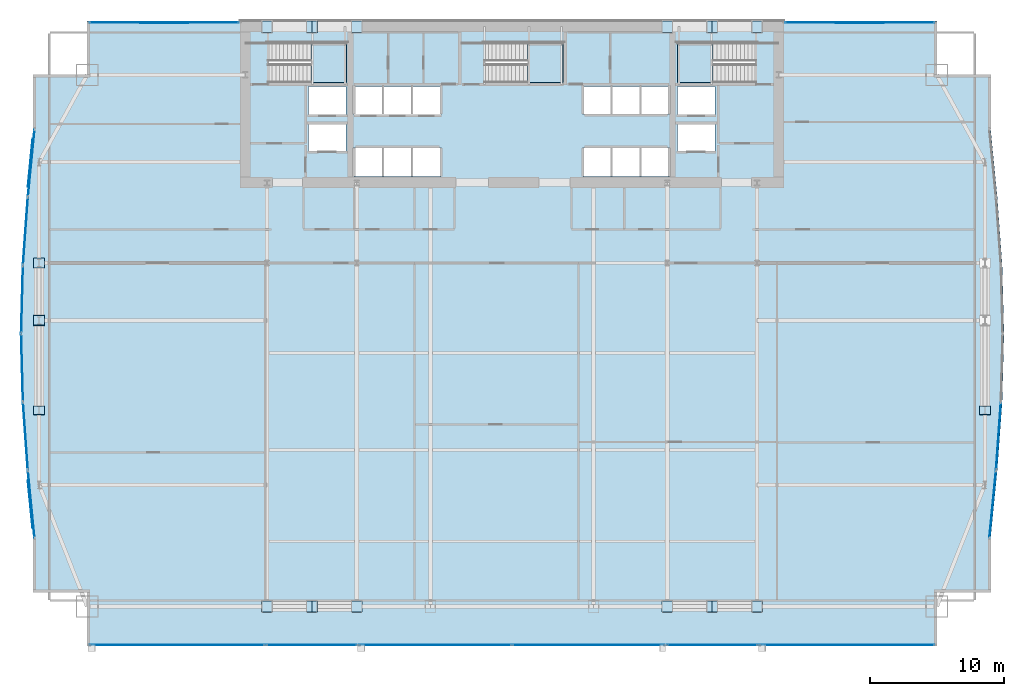
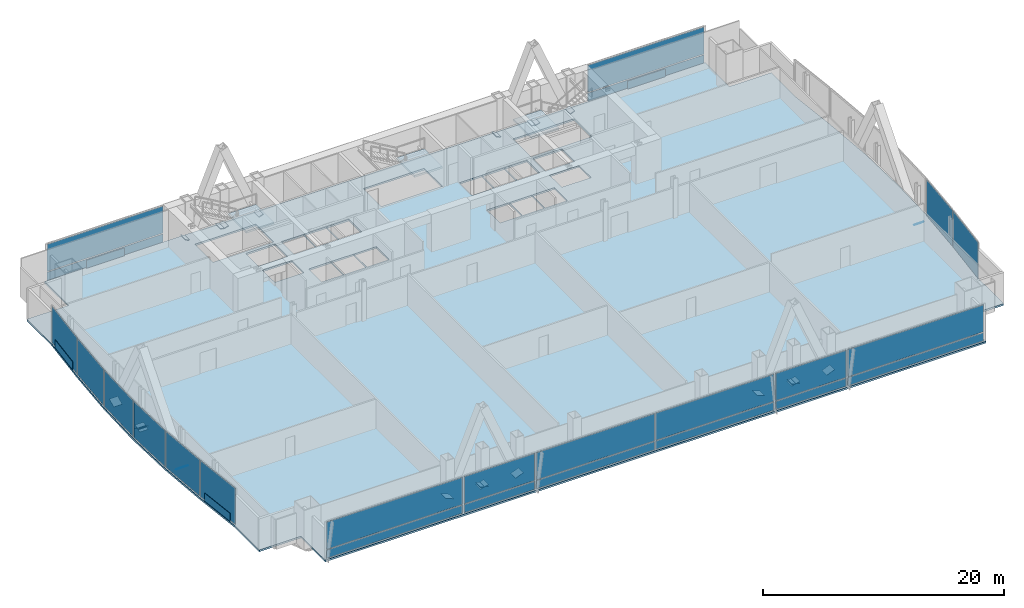
# One storey, part 25 of 33: 49 plates, 4 slabs, 18 elements without a shape of their own.
"""IFC4 building model written with IfcOpenShell, lengths in metres."""

from ifc_helpers import new_model, si_unit, direction, frame, origin, origin_2d, place, context, subcontext, project, spatial, polyline, rectangle, outline, extrude, material, layer, layer_set, type_object, element, aggregate, save


model = new_model("IFC4")

# Units and contexts
model_context = context("Model", 3, precision=1e-05, world=origin(), true_north=direction((0.0, 1.0)))
body_context = subcontext(model_context, "Body", "Model", "MODEL_VIEW")
ifc_project = project(units=[si_unit("LENGTHUNIT", "METRE"), si_unit("AREAUNIT", "SQUARE_METRE"), si_unit("VOLUMEUNIT", "CUBIC_METRE"), si_unit("PLANEANGLEUNIT", "RADIAN"), si_unit("MASSUNIT", "GRAM", prefix="KILO")], contexts=[model_context])

# Site, building, storey
site_placement = place(None, origin())
site = spatial("IfcSite", under=ifc_project, at=site_placement, CompositionType="ELEMENT")
building_placement = place(site_placement, origin())
building = spatial("IfcBuilding", under=site, at=building_placement, Name="Khoronbel Lancet Exchange", CompositionType="ELEMENT")
storey_placement = place(building_placement, frame((0.0, 0.0, 73.800048828125)))
storey = spatial("IfcBuildingStorey", under=building, at=storey_placement, Name="L17", CompositionType="ELEMENT", Elevation=73.800048828125)

# Curtain wall, plate
ifc_material_1 = material(Name="Low-E Solar Control Insulating Glass", Category="glass")
curtain_wall_type_1 = type_object("IfcCurtainWallType", Name="CW-4", PredefinedType="NOTDEFINED", material=ifc_material_1)
curtain_wall_1_placement = place(storey_placement, origin())
curtain_wall_1 = element("IfcCurtainWall", 1, at=curtain_wall_1_placement, inside=storey, type_object=curtain_wall_type_1, Name="Unitised curtain wall CW-L17-E04", PredefinedType="NOTDEFINED")
ifc_material_2 = material(Name="Bronze-Anodised Aluminium 6063-T6", Category="aluminium")
ifc_layer_1 = layer(ifc_material_2, 0.050048828125, Name="Bronze-Anodised Aluminium 6063-T6")
ifc_layer_set_1 = layer_set([ifc_layer_1], Name="Bronze-Anodised Aluminium 6063-T6")
plate_type_1 = type_object("IfcPlateType", Name="PLT-CSP1", PredefinedType="SHEET", material=ifc_layer_set_1)
plate_1_placement = place(storey_placement, frame((0.630126953125, 17.74169921875, 0.0498046875), z_axis=(0.0, 0.0, 1.0), x_axis=(-0.09788604621, 0.995197629598, 0.0)))
plate_1 = element("IfcPlate", 2, at=plate_1_placement, type_object=plate_type_1, Name="Insulated bronze spandrel cassette CW-L17-E04", PredefinedType="SHEET", context=body_context, shape_type="SweptSolid", body=[
    extrude(rectangle(XDim=3.57763671875, YDim=0.050048828125, at=origin_2d()), origin(), (0.0, 0.0, 1.0), 0.800048828125),
])

curtain_wall_2_placement = place(storey_placement, origin())
curtain_wall_2 = element("IfcCurtainWall", 3, at=curtain_wall_2_placement, inside=storey, type_object=curtain_wall_type_1, Name="Unitised curtain wall CW-L17-E05", PredefinedType="NOTDEFINED")
plate_2_placement = place(storey_placement, frame((0.2568359375, 22.8310546875, 0.0849609375), z_axis=(0.0, 0.0, 1.0), x_axis=(-0.071819098708, 0.997417674327, 0.0)))
plate_2 = element("IfcPlate", 4, at=plate_2_placement, type_object=plate_type_1, Name="CW4 panel 1.1", PredefinedType="CURTAIN_PANEL", context=body_context, shape_type="SweptSolid", body=[
    extrude(rectangle(XDim=4.943359375, YDim=0.0380859375, at=origin_2d()), origin(), (0.0, 0.0, 1.0), 3.64990234375),
])
aggregate(curtain_wall_2, [plate_2])

curtain_wall_3_placement = place(storey_placement, origin())
curtain_wall_3 = element("IfcCurtainWall", 5, at=curtain_wall_3_placement, inside=storey, type_object=curtain_wall_type_1, Name="Unitised curtain wall CW-L17-E06", PredefinedType="NOTDEFINED")
plate_3_placement = place(storey_placement, frame((0.0068359375, 27.91064453125, 0.0849609375), z_axis=(0.0, 0.0, 1.0), x_axis=(-0.026354818961, 0.999652651433, 0.0)))
plate_3 = element("IfcPlate", 6, at=plate_3_placement, type_object=plate_type_1, Name="CW4 panel 1.1", PredefinedType="CURTAIN_PANEL", context=body_context, shape_type="SweptSolid", body=[
    extrude(rectangle(XDim=4.9306640625, YDim=0.0380859375, at=origin_2d()), origin(), (0.0, 0.0, 1.0), 3.64990234375),
])
aggregate(curtain_wall_3, [plate_3])

curtain_wall_4_placement = place(storey_placement, origin())
curtain_wall_4 = element("IfcCurtainWall", 7, at=curtain_wall_4_placement, inside=storey, type_object=curtain_wall_type_1, Name="Unitised curtain wall CW-L17-E07", PredefinedType="NOTDEFINED")
plate_4_placement = place(storey_placement, frame((0.0068359375, 32.989501953125, 0.0849609375), z_axis=(0.0, 0.0, 1.0), x_axis=(0.026354818961, 0.999652651433, 0.0)))
plate_4 = element("IfcPlate", 8, at=plate_4_placement, type_object=plate_type_1, Name="CW4 panel 1.1", PredefinedType="CURTAIN_PANEL", context=body_context, shape_type="SweptSolid", body=[
    extrude(rectangle(XDim=4.9306640625, YDim=0.0380859375, at=origin_2d()), origin(), (0.0, 0.0, 1.0), 3.64990234375),
])
aggregate(curtain_wall_4, [plate_4])

curtain_wall_5_placement = place(storey_placement, origin())
curtain_wall_5 = element("IfcCurtainWall", 9, at=curtain_wall_5_placement, inside=storey, type_object=curtain_wall_type_1, Name="Unitised curtain wall CW-L17-E08", PredefinedType="NOTDEFINED")
plate_5_placement = place(storey_placement, frame((0.2568359375, 38.069091796875, 0.0849609375), z_axis=(0.0, 0.0, 1.0), x_axis=(0.071819098708, 0.997417674327, 0.0)))
plate_5 = element("IfcPlate", 10, at=plate_5_placement, type_object=plate_type_1, Name="CW4 panel 1.1", PredefinedType="CURTAIN_PANEL", context=body_context, shape_type="SweptSolid", body=[
    extrude(rectangle(XDim=4.943359375, YDim=0.0380859375, at=origin_2d()), origin(), (0.0, 0.0, 1.0), 3.64990234375),
])
aggregate(curtain_wall_5, [plate_5])

curtain_wall_6_placement = place(storey_placement, origin())
curtain_wall_6 = element("IfcCurtainWall", 11, at=curtain_wall_6_placement, inside=storey, type_object=curtain_wall_type_1, Name="Unitised curtain wall CW-L17-E09", PredefinedType="NOTDEFINED")
plate_6_placement = place(storey_placement, frame((0.630126953125, 43.158203125, 0.0498046875), z_axis=(0.0, 0.0, 1.0), x_axis=(0.09788604621, 0.995197629598, 0.0)))
plate_6 = element("IfcPlate", 12, at=plate_6_placement, type_object=plate_type_1, Name="Insulated bronze spandrel cassette CW-L17-E09", PredefinedType="SHEET", context=body_context, shape_type="SweptSolid", body=[
    extrude(rectangle(XDim=3.57763671875, YDim=0.050048828125, at=origin_2d()), origin(), (0.0, 0.0, 1.0), 0.800048828125),
])

curtain_wall_type_2 = type_object("IfcCurtainWallType", Name="CW-1", PredefinedType="NOTDEFINED", material=ifc_material_1)
curtain_wall_7_placement = place(storey_placement, origin())
curtain_wall_7 = element("IfcCurtainWall", 13, at=curtain_wall_7_placement, inside=storey, type_object=curtain_wall_type_2, Name="Unitised curtain wall CW-L17-NWFLK", PredefinedType="NOTDEFINED")
plate_7_placement = place(storey_placement, frame((10.580078125, 53.550048828125, 0.0498046875), z_axis=(0.0, 0.0, 1.0), x_axis=(-1.0, 0.0, 0.0)))
plate_7 = element("IfcPlate", 14, at=plate_7_placement, type_object=plate_type_1, Name="Insulated bronze spandrel cassette CW-L17-NWFLK", PredefinedType="SHEET", context=body_context, shape_type="SweptSolid", body=[
    extrude(rectangle(XDim=3.60009765625, YDim=0.050048828125, at=origin_2d()), origin(), (0.0, 0.0, 1.0), 0.800048828125),
])

curtain_wall_8_placement = place(storey_placement, origin())
curtain_wall_8 = element("IfcCurtainWall", 15, at=curtain_wall_8_placement, inside=storey, type_object=curtain_wall_type_2, Name="Unitised curtain wall CW-L17-NEFLK", PredefinedType="NOTDEFINED")
plate_8_placement = place(storey_placement, frame((62.320068359375, 53.550048828125, 0.0498046875), z_axis=(0.0, 0.0, 1.0), x_axis=(-1.0, 0.0, 0.0)))
plate_8 = element("IfcPlate", 16, at=plate_8_placement, type_object=plate_type_1, Name="Insulated bronze spandrel cassette CW-L17-NEFLK", PredefinedType="SHEET", context=body_context, shape_type="SweptSolid", body=[
    extrude(rectangle(XDim=3.60009765625, YDim=0.050048828125, at=origin_2d()), origin(), (0.0, 0.0, 1.0), 0.800048828125),
])

curtain_wall_9_placement = place(storey_placement, origin())
curtain_wall_9 = element("IfcCurtainWall", 17, at=curtain_wall_9_placement, inside=storey, type_object=curtain_wall_type_1, Name="Unitised curtain wall CW-L17-E21", PredefinedType="NOTDEFINED")
plate_9_placement = place(storey_placement, frame((72.643310546875, 22.8310546875, 0.0849609375), z_axis=(0.0, 0.0, 1.0), x_axis=(-0.071819098708, -0.997417674327, 0.0)))
plate_9 = element("IfcPlate", 18, at=plate_9_placement, type_object=plate_type_1, Name="CW4 panel 1.1", PredefinedType="CURTAIN_PANEL", context=body_context, shape_type="SweptSolid", body=[
    extrude(rectangle(XDim=4.943359375, YDim=0.0380859375, at=origin_2d()), origin(), (0.0, 0.0, 1.0), 3.64990234375),
])
aggregate(curtain_wall_9, [plate_9])

# Curtain wall, plates
curtain_wall_10_placement = place(storey_placement, origin())
curtain_wall_10 = element("IfcCurtainWall", 19, at=curtain_wall_10_placement, inside=storey, type_object=curtain_wall_type_2, Name="Unitised curtain wall CW-L17-SWB", PredefinedType="NOTDEFINED")
plate_10_placement = place(storey_placement, frame((21.550048828125, 7.2900390625, 0.0849609375), z_axis=(0.0, 0.0, 1.0), x_axis=(1.0, 0.0, 0.0)))
plate_10 = element("IfcPlate", 20, at=plate_10_placement, type_object=plate_type_1, Name="CW1 panel 1.1", PredefinedType="CURTAIN_PANEL", context=body_context, shape_type="SweptSolid", body=[
    extrude(rectangle(XDim=6.72998046875, YDim=0.0380859375, at=origin_2d()), origin(), (0.0, 0.0, 1.0), 0.822509765625),
])
plate_11_placement = place(storey_placement, frame((21.550048828125, 7.2900390625, 0.99267578125), z_axis=(0.0, 0.0, 1.0), x_axis=(1.0, 0.0, 0.0)))
plate_11 = element("IfcPlate", 21, at=plate_11_placement, type_object=plate_type_1, Name="CW1 panel 1.2", PredefinedType="CURTAIN_PANEL", context=body_context, shape_type="SweptSolid", body=[
    extrude(rectangle(XDim=6.72998046875, YDim=0.0380859375, at=origin_2d()), origin(), (0.0, 0.0, 1.0), 2.742431640625),
])
aggregate(curtain_wall_10, [plate_10, plate_11])

curtain_wall_11_placement = place(storey_placement, origin())
curtain_wall_11 = element("IfcCurtainWall", 22, at=curtain_wall_11_placement, inside=storey, type_object=curtain_wall_type_2, Name="Unitised curtain wall CW-L17-SEB", PredefinedType="NOTDEFINED")
plate_12_placement = place(storey_placement, frame((51.35009765625, 7.2900390625, 0.0849609375), z_axis=(0.0, 0.0, 1.0), x_axis=(1.0, 0.0, 0.0)))
plate_12 = element("IfcPlate", 23, at=plate_12_placement, type_object=plate_type_1, Name="CW1 panel 1.1", PredefinedType="CURTAIN_PANEL", context=body_context, shape_type="SweptSolid", body=[
    extrude(rectangle(XDim=6.72998046875, YDim=0.0380859375, at=origin_2d()), origin(), (0.0, 0.0, 1.0), 0.822509765625),
])
plate_13_placement = place(storey_placement, frame((51.35009765625, 7.2900390625, 0.99267578125), z_axis=(0.0, 0.0, 1.0), x_axis=(1.0, 0.0, 0.0)))
plate_13 = element("IfcPlate", 24, at=plate_13_placement, type_object=plate_type_1, Name="CW1 panel 1.2", PredefinedType="CURTAIN_PANEL", context=body_context, shape_type="SweptSolid", body=[
    extrude(rectangle(XDim=6.72998046875, YDim=0.0380859375, at=origin_2d()), origin(), (0.0, 0.0, 1.0), 2.742431640625),
])
aggregate(curtain_wall_11, [plate_12, plate_13])

# Plate
ifc_layer_2 = layer(ifc_material_1, 0.035888671875, Name="Low-E Solar Control Insulating Glass")
ifc_layer_set_2 = layer_set([ifc_layer_2], Name="Low-E Solar Control Insulating Glass")
plate_type_2 = type_object("IfcPlateType", Name="PLT-CWP1", PredefinedType="CURTAIN_PANEL", material=ifc_layer_set_2)
plate_14_placement = place(storey_placement, frame((10.580078125, 53.610107421875, 0.0849609375), z_axis=(0.0, 0.0, 1.0), x_axis=(-1.0, 0.0, 0.0)))
plate_14 = element("IfcPlate", 25, at=plate_14_placement, type_object=plate_type_2, Name="CW1 panel 1.1", PredefinedType="CURTAIN_PANEL", context=body_context, shape_type="SweptSolid", body=[
    extrude(rectangle(XDim=11.110107421875, YDim=0.0380859375, at=origin_2d()), origin(), (0.0, 0.0, 1.0), 0.822509765625),
])

plate_15_placement = place(storey_placement, frame((10.580078125, 53.610107421875, 0.99267578125), z_axis=(0.0, 0.0, 1.0), x_axis=(-1.0, 0.0, 0.0)))
plate_15 = element("IfcPlate", 26, at=plate_15_placement, type_object=plate_type_2, Name="CW1 panel 1.2", PredefinedType="CURTAIN_PANEL", context=body_context, shape_type="SweptSolid", body=[
    extrude(rectangle(XDim=11.110107421875, YDim=0.0380859375, at=origin_2d()), origin(), (0.0, 0.0, 1.0), 2.742431640625),
])

aggregate(curtain_wall_7, [plate_14, plate_15, plate_7])

plate_16_placement = place(storey_placement, frame((62.320068359375, 53.610107421875, 0.0849609375), z_axis=(0.0, 0.0, 1.0), x_axis=(-1.0, 0.0, 0.0)))
plate_16 = element("IfcPlate", 27, at=plate_16_placement, type_object=plate_type_2, Name="CW1 panel 1.1", PredefinedType="CURTAIN_PANEL", context=body_context, shape_type="SweptSolid", body=[
    extrude(rectangle(XDim=11.110107421875, YDim=0.0380859375, at=origin_2d()), origin(), (0.0, 0.0, 1.0), 0.822509765625),
])

plate_17_placement = place(storey_placement, frame((62.320068359375, 53.610107421875, 0.99267578125), z_axis=(0.0, 0.0, 1.0), x_axis=(-1.0, 0.0, 0.0)))
plate_17 = element("IfcPlate", 28, at=plate_17_placement, type_object=plate_type_2, Name="CW1 panel 1.2", PredefinedType="CURTAIN_PANEL", context=body_context, shape_type="SweptSolid", body=[
    extrude(rectangle(XDim=11.110107421875, YDim=0.0380859375, at=origin_2d()), origin(), (0.0, 0.0, 1.0), 2.742431640625),
])

aggregate(curtain_wall_8, [plate_16, plate_17, plate_8])

# Curtain wall, plates
curtain_wall_12_placement = place(storey_placement, origin())
curtain_wall_12 = element("IfcCurtainWall", 29, at=curtain_wall_12_placement, inside=storey, type_object=curtain_wall_type_2, Name="Unitised curtain wall CW-L17-SWV", PredefinedType="NOTDEFINED")
plate_18_placement = place(storey_placement, frame((11.52001953125, 7.2900390625, 0.0849609375), z_axis=(0.0, 0.0, 1.0), x_axis=(1.0, 0.0, 0.0)))
plate_18 = element("IfcPlate", 30, at=plate_18_placement, type_object=plate_type_2, Name="CW1 panel 1.1", PredefinedType="CURTAIN_PANEL", context=body_context, shape_type="SweptSolid", body=[
    extrude(rectangle(XDim=12.989990234375, YDim=0.0380859375, at=origin_2d()), origin(), (0.0, 0.0, 1.0), 0.822509765625),
])
plate_19_placement = place(storey_placement, frame((11.52001953125, 7.2900390625, 0.99267578125), z_axis=(0.0, 0.0, 1.0), x_axis=(1.0, 0.0, 0.0)))
plate_19 = element("IfcPlate", 31, at=plate_19_placement, type_object=plate_type_2, Name="CW1 panel 1.2", PredefinedType="CURTAIN_PANEL", context=body_context, shape_type="SweptSolid", body=[
    extrude(rectangle(XDim=12.989990234375, YDim=0.0380859375, at=origin_2d()), origin(), (0.0, 0.0, 1.0), 2.742431640625),
])
aggregate(curtain_wall_12, [plate_18, plate_19])

curtain_wall_13_placement = place(storey_placement, origin())
curtain_wall_13 = element("IfcCurtainWall", 32, at=curtain_wall_13_placement, inside=storey, type_object=curtain_wall_type_2, Name="Unitised curtain wall CW-L17-SCV", PredefinedType="NOTDEFINED")
plate_20_placement = place(storey_placement, frame((30.746337890625, 7.2900390625, 0.0849609375), z_axis=(0.0, 0.0, 1.0), x_axis=(1.0, 0.0, 0.0)))
plate_20 = element("IfcPlate", 33, at=plate_20_placement, type_object=plate_type_2, Name="CW1 panel 1.1", PredefinedType="CURTAIN_PANEL", context=body_context, shape_type="SweptSolid", body=[
    extrude(rectangle(XDim=11.322509765625, YDim=0.0380859375, at=origin_2d()), origin(), (0.0, 0.0, 1.0), 0.822509765625),
])
plate_21_placement = place(storey_placement, frame((30.746337890625, 7.2900390625, 0.99267578125), z_axis=(0.0, 0.0, 1.0), x_axis=(1.0, 0.0, 0.0)))
plate_21 = element("IfcPlate", 34, at=plate_21_placement, type_object=plate_type_2, Name="CW1 panel 1.2", PredefinedType="CURTAIN_PANEL", context=body_context, shape_type="SweptSolid", body=[
    extrude(rectangle(XDim=11.322509765625, YDim=0.0380859375, at=origin_2d()), origin(), (0.0, 0.0, 1.0), 2.742431640625),
])
plate_22_placement = place(storey_placement, frame((42.15380859375, 7.2900390625, 0.0849609375), z_axis=(0.0, 0.0, 1.0), x_axis=(1.0, 0.0, 0.0)))
plate_22 = element("IfcPlate", 35, at=plate_22_placement, type_object=plate_type_2, Name="CW1 panel 2.1", PredefinedType="CURTAIN_PANEL", context=body_context, shape_type="SweptSolid", body=[
    extrude(rectangle(XDim=11.322509765625, YDim=0.0380859375, at=origin_2d()), origin(), (0.0, 0.0, 1.0), 0.822509765625),
])
plate_23_placement = place(storey_placement, frame((42.15380859375, 7.2900390625, 0.99267578125), z_axis=(0.0, 0.0, 1.0), x_axis=(1.0, 0.0, 0.0)))
plate_23 = element("IfcPlate", 36, at=plate_23_placement, type_object=plate_type_2, Name="CW1 panel 2.2", PredefinedType="CURTAIN_PANEL", context=body_context, shape_type="SweptSolid", body=[
    extrude(rectangle(XDim=11.322509765625, YDim=0.0380859375, at=origin_2d()), origin(), (0.0, 0.0, 1.0), 2.742431640625),
])
aggregate(curtain_wall_13, [plate_20, plate_21, plate_22, plate_23])

curtain_wall_14_placement = place(storey_placement, origin())
curtain_wall_14 = element("IfcCurtainWall", 37, at=curtain_wall_14_placement, inside=storey, type_object=curtain_wall_type_2, Name="Unitised curtain wall CW-L17-SEV", PredefinedType="NOTDEFINED")
plate_24_placement = place(storey_placement, frame((61.3798828125, 7.2900390625, 0.0849609375), z_axis=(0.0, 0.0, 1.0), x_axis=(1.0, 0.0, 0.0)))
plate_24 = element("IfcPlate", 38, at=plate_24_placement, type_object=plate_type_2, Name="CW1 panel 1.1", PredefinedType="CURTAIN_PANEL", context=body_context, shape_type="SweptSolid", body=[
    extrude(rectangle(XDim=12.989990234375, YDim=0.0380859375, at=origin_2d()), origin(), (0.0, 0.0, 1.0), 0.822509765625),
])
plate_25_placement = place(storey_placement, frame((61.3798828125, 7.2900390625, 0.99267578125), z_axis=(0.0, 0.0, 1.0), x_axis=(1.0, 0.0, 0.0)))
plate_25 = element("IfcPlate", 39, at=plate_25_placement, type_object=plate_type_2, Name="CW1 panel 1.2", PredefinedType="CURTAIN_PANEL", context=body_context, shape_type="SweptSolid", body=[
    extrude(rectangle(XDim=12.989990234375, YDim=0.0380859375, at=origin_2d()), origin(), (0.0, 0.0, 1.0), 2.742431640625),
])
aggregate(curtain_wall_14, [plate_24, plate_25])

# Plate
ifc_material_3 = material(Name="Ceramic-Fritted Laminated Insulating Glass", Category="glass")
ifc_layer_3 = layer(ifc_material_3, 0.0419921875, Name="Ceramic-Fritted Laminated Insulating Glass")
ifc_layer_set_3 = layer_set([ifc_layer_3], Name="Ceramic-Fritted Laminated Insulating Glass")
plate_type_3 = type_object("IfcPlateType", Name="PLT-CWP2", PredefinedType="CURTAIN_PANEL", material=ifc_layer_set_3)
plate_26_placement = place(storey_placement, frame((0.68994140625, 17.74755859375, 0.0849609375), z_axis=(0.0, 0.0, 1.0), x_axis=(-0.09788604621, 0.995197629598, 0.0)))
plate_26 = element("IfcPlate", 40, at=plate_26_placement, type_object=plate_type_3, Name="CW4 panel 1.1", PredefinedType="CURTAIN_PANEL", context=body_context, shape_type="SweptSolid", body=[
    extrude(rectangle(XDim=4.9609375, YDim=0.0380859375, at=origin_2d()), origin(), (0.0, 0.0, 1.0), 3.64990234375),
])

aggregate(curtain_wall_1, [plate_26, plate_1])

plate_27_placement = place(storey_placement, frame((0.68994140625, 43.15234375, 0.0849609375), z_axis=(0.0, 0.0, 1.0), x_axis=(0.09788604621, 0.995197629598, 0.0)))
plate_27 = element("IfcPlate", 41, at=plate_27_placement, type_object=plate_type_3, Name="CW4 panel 1.1", PredefinedType="CURTAIN_PANEL", context=body_context, shape_type="SweptSolid", body=[
    extrude(rectangle(XDim=4.9609375, YDim=0.0380859375, at=origin_2d()), origin(), (0.0, 0.0, 1.0), 3.64990234375),
])

aggregate(curtain_wall_6, [plate_27, plate_6])

# Curtain wall, plate
curtain_wall_15_placement = place(storey_placement, origin())
curtain_wall_15 = element("IfcCurtainWall", 42, at=curtain_wall_15_placement, inside=storey, type_object=curtain_wall_type_1, Name="Unitised curtain wall CW-L17-E22", PredefinedType="NOTDEFINED")
plate_28_placement = place(storey_placement, frame((72.210205078125, 17.74755859375, 0.0849609375), z_axis=(0.0, 0.0, 1.0), x_axis=(-0.09788604621, -0.995197629598, 0.0)))
plate_28 = element("IfcPlate", 43, at=plate_28_placement, type_object=plate_type_3, Name="CW4 panel 1.1", PredefinedType="CURTAIN_PANEL", context=body_context, shape_type="SweptSolid", body=[
    extrude(rectangle(XDim=4.9609375, YDim=0.0380859375, at=origin_2d()), origin(), (0.0, 0.0, 1.0), 3.64990234375),
])
aggregate(curtain_wall_15, [plate_28])

# Plates
ifc_material_4 = material(Name="Steel S460", Category="steel")
ifc_layer_4 = layer(ifc_material_4, 0.044921875, Name="Steel S460")
ifc_layer_set_4 = layer_set([ifc_layer_4], Name="Steel S460")
plate_type_4 = type_object("IfcPlateType", Name="PLT-ECP1", PredefinedType="USERDEFINED", material=ifc_layer_set_4)
for number, where, z_axis, x_axis, name in (
    (44, (21.97607421875, 9.72998046875, -0.080810546875), (0.26795862665, 0.0, 0.963430420115), (0.0, 1.0, 0.0), "Hollow end cap plate PLT-CAP-MEM-MB-T04-S-W-L-1"),
    (45, (21.14892578125, 10.570068359375, -0.080810546875), (-0.26795862665, 0.0, 0.963430420115), (0.0, -1.0, 0.0), "Hollow end cap plate PLT-CAP-MEM-MB-T04-S-W-R-1"),
    (46, (51.7509765625, 9.72998046875, -0.080810546875), (0.26795862665, 0.0, 0.963430420115), (0.0, 1.0, 0.0), "Hollow end cap plate PLT-CAP-MEM-MB-T04-S-E-L-1"),
    (47, (50.924072265625, 10.570068359375, -0.080810546875), (-0.26795862665, 0.0, 0.963430420115), (0.0, -1.0, 0.0), "Hollow end cap plate PLT-CAP-MEM-MB-T04-S-E-R-1"),
):
    element("IfcPlate", number, at=place(storey_placement, frame(where, z_axis=z_axis, x_axis=x_axis)), inside=storey, type_object=plate_type_4, Name=name, ObjectType="STIFFENER_PLATE", PredefinedType="USERDEFINED", context=body_context, shape_type="SweptSolid", body=[
        extrude(outline(polyline([(0.0, 0.0), (0.840087890625, 0.0), (0.840087890625, 0.840087890625), (0.0, 0.840087890625), (0.0, 0.0)])), origin(), (0.0, 0.0, -1.0), 0.044921875),
    ])
for number, where, z_axis, x_axis, name in (
    (48, (21.97607421875, 52.860107421875, -0.080810546875), (0.26795862665, 0.0, 0.963430420115), (0.0, 1.0, 0.0), "Hollow end cap plate PLT-CAP-MEM-MB-T04-N-W-L-1"),
    (49, (21.14892578125, 53.699951171875, -0.080810546875), (-0.26795862665, 0.0, 0.963430420115), (0.0, -1.0, 0.0), "Hollow end cap plate PLT-CAP-MEM-MB-T04-N-W-R-1"),
    (50, (51.7509765625, 52.860107421875, -0.080810546875), (0.26795862665, 0.0, 0.963430420115), (0.0, 1.0, 0.0), "Hollow end cap plate PLT-CAP-MEM-MB-T04-N-E-L-1"),
    (51, (50.924072265625, 53.699951171875, -0.080810546875), (-0.26795862665, 0.0, 0.963430420115), (0.0, -1.0, 0.0), "Hollow end cap plate PLT-CAP-MEM-MB-T04-N-E-R-1"),
    (52, (1.68994140625, 31.80810546875, -0.17529296875), (0.0, 0.485963708226, 0.873978989614), (-1.0, 0.0, 0.0), "Hollow end cap plate PLT-CAP-MEM-MB-T04-W-P-L-1"),
):
    element("IfcPlate", number, at=place(storey_placement, frame(where, z_axis=z_axis, x_axis=x_axis)), inside=storey, type_object=plate_type_4, Name=name, ObjectType="STIFFENER_PLATE", PredefinedType="USERDEFINED", context=body_context, shape_type="SweptSolid", body=[
        extrude(outline(polyline([(0.0, 0.0), (0.83984375, 0.0), (0.83984375, 0.840087890625), (0.0, 0.840087890625), (0.0, 0.0)])), origin(), (0.0, 0.0, -1.0), 0.044921875),
    ])
plate_29_placement = place(storey_placement, frame((0.85009765625, 31.018310546875, -0.10986328125), z_axis=(0.0, -0.335433979759, 0.942063716116), x_axis=(1.0, 0.0, 0.0)))
element("IfcPlate", 53, at=plate_29_placement, inside=storey, type_object=plate_type_4, Name="Hollow end cap plate PLT-CAP-MEM-MB-T04-W-P-R-1", ObjectType="STIFFENER_PLATE", PredefinedType="USERDEFINED", context=body_context, shape_type="SweptSolid", body=[
    extrude(outline(polyline([(0.0, 0.0), (0.83984375, 0.0), (0.83984375, 0.83984375), (0.0, 0.83984375), (0.0, 0.0)])), origin(), (0.0, 0.0, -1.0), 0.044921875),
])
for number, where, z_axis, x_axis, name in (
    (54, (18.6171875, 9.72998046875, -0.150634765625), (0.385131298134, 0.0, 0.922861789868), (0.0, 1.0, 0.0), "Hollow end cap plate PLT-CAP-MEM-MB-T05-S-W-L-0"),
    (55, (24.5078125, 10.570068359375, -0.150634765625), (-0.385131298134, 0.0, 0.922861789868), (0.0, -1.0, 0.0), "Hollow end cap plate PLT-CAP-MEM-MB-T05-S-W-R-0"),
):
    element("IfcPlate", number, at=place(storey_placement, frame(where, z_axis=z_axis, x_axis=x_axis)), inside=storey, type_object=plate_type_4, Name=name, ObjectType="STIFFENER_PLATE", PredefinedType="USERDEFINED", context=body_context, shape_type="SweptSolid", body=[
        extrude(outline(polyline([(0.0, 0.0), (0.840087890625, 0.0), (0.840087890625, 0.83984375), (0.0, 0.83984375), (0.0, 0.0)])), origin(), (0.0, 0.0, -1.0), 0.044921875),
    ])
for number, where, z_axis, x_axis, name in (
    (56, (48.392333984375, 9.72998046875, -0.150634765625), (0.385028014366, 0.0, 0.922904885756), (0.0, 1.0, 0.0), "Hollow end cap plate PLT-CAP-MEM-MB-T05-S-E-L-0"),
    (57, (54.28271484375, 10.570068359375, -0.150634765625), (-0.385028014366, 0.0, 0.922904885756), (0.0, -1.0, 0.0), "Hollow end cap plate PLT-CAP-MEM-MB-T05-S-E-R-0"),
):
    element("IfcPlate", number, at=place(storey_placement, frame(where, z_axis=z_axis, x_axis=x_axis)), inside=storey, type_object=plate_type_4, Name=name, ObjectType="STIFFENER_PLATE", PredefinedType="USERDEFINED", context=body_context, shape_type="SweptSolid", body=[
        extrude(outline(polyline([(0.0, 0.0), (0.840087890625, 0.0), (0.840087890625, 0.840087890625), (0.0, 0.840087890625), (0.0, 0.0)])), origin(), (0.0, 0.0, -1.0), 0.044921875),
    ])
for number, where, z_axis, x_axis, name in (
    (58, (18.6171875, 52.860107421875, -0.150634765625), (0.385131298134, 0.0, 0.922861789868), (0.0, 1.0, 0.0), "Hollow end cap plate PLT-CAP-MEM-MB-T05-N-W-L-0"),
    (59, (24.5078125, 53.699951171875, -0.150634765625), (-0.385131298134, 0.0, 0.922861789868), (0.0, -1.0, 0.0), "Hollow end cap plate PLT-CAP-MEM-MB-T05-N-W-R-0"),
):
    element("IfcPlate", number, at=place(storey_placement, frame(where, z_axis=z_axis, x_axis=x_axis)), inside=storey, type_object=plate_type_4, Name=name, ObjectType="STIFFENER_PLATE", PredefinedType="USERDEFINED", context=body_context, shape_type="SweptSolid", body=[
        extrude(outline(polyline([(0.0, 0.0), (0.83984375, 0.0), (0.83984375, 0.83984375), (0.0, 0.83984375), (0.0, 0.0)])), origin(), (0.0, 0.0, -1.0), 0.044921875),
    ])
for number, where, z_axis, x_axis, name in (
    (60, (48.392333984375, 52.860107421875, -0.150634765625), (0.385028014366, 0.0, 0.922904885756), (0.0, 1.0, 0.0), "Hollow end cap plate PLT-CAP-MEM-MB-T05-N-E-L-0"),
    (61, (54.28271484375, 53.699951171875, -0.150634765625), (-0.385028014366, 0.0, 0.922904885756), (0.0, -1.0, 0.0), "Hollow end cap plate PLT-CAP-MEM-MB-T05-N-E-R-0"),
):
    element("IfcPlate", number, at=place(storey_placement, frame(where, z_axis=z_axis, x_axis=x_axis)), inside=storey, type_object=plate_type_4, Name=name, ObjectType="STIFFENER_PLATE", PredefinedType="USERDEFINED", context=body_context, shape_type="SweptSolid", body=[
        extrude(outline(polyline([(0.0, 0.0), (0.83984375, 0.0), (0.83984375, 0.840087890625), (0.0, 0.840087890625), (0.0, 0.0)])), origin(), (0.0, 0.0, -1.0), 0.044921875),
    ])
for number, where, z_axis, x_axis, name in (
    (62, (1.68994140625, 25.080078125, -0.260009765625), (0.0, 0.640898853111, 0.767625338352), (-1.0, 0.0, 0.0), "Hollow end cap plate PLT-CAP-MEM-MB-T05-W-P-L-0"),
    (63, (0.85009765625, 35.323974609375, -0.1875), (0.0, -0.471463024334, 0.881885829734), (1.0, 0.0, 0.0), "Hollow end cap plate PLT-CAP-MEM-MB-T05-W-P-R-0"),
):
    element("IfcPlate", number, at=place(storey_placement, frame(where, z_axis=z_axis, x_axis=x_axis)), inside=storey, type_object=plate_type_4, Name=name, ObjectType="STIFFENER_PLATE", PredefinedType="USERDEFINED", context=body_context, shape_type="SweptSolid", body=[
        extrude(outline(polyline([(0.0, 0.0), (0.83984375, 0.0), (0.83984375, 0.83984375), (0.0, 0.83984375), (0.0, 0.0)])), origin(), (0.0, 0.0, -1.0), 0.044921875),
    ])
plate_30_placement = place(storey_placement, frame((72.050048828125, 25.080078125, -0.260009765625), z_axis=(0.0, 0.640898853111, 0.767625338352), x_axis=(-1.0, 0.0, 0.0)))
element("IfcPlate", 64, at=plate_30_placement, inside=storey, type_object=plate_type_4, Name="Hollow end cap plate PLT-CAP-MEM-MB-T05-E-P-L-0", ObjectType="STIFFENER_PLATE", PredefinedType="USERDEFINED", context=body_context, shape_type="SweptSolid", body=[
    extrude(outline(polyline([(0.0, 0.0), (0.840087890625, 0.0), (0.840087890625, 0.83984375), (0.0, 0.83984375), (0.0, 0.0)])), origin(), (0.0, 0.0, -1.0), 0.044921875),
])

# Slab
ifc_material_5 = material(Name="Concrete C40/50", Category="concrete")
ifc_layer_5 = layer(ifc_material_5, 0.179931640625, Name="Concrete C40/50")
ifc_layer_set_5 = layer_set([ifc_layer_5], Name="Concrete C40/50")
slab_type_1 = type_object("IfcSlabType", Name="SL-FL180", PredefinedType="FLOOR", material=ifc_layer_set_5)
slab_1_placement = place(storey_placement, frame((0.0, 0.0, -0.179931640625)))
element("IfcSlab", 65, at=slab_1_placement, inside=storey, type_object=slab_type_1, Name="Level L17 composite structural floor slab", PredefinedType="FLOOR", context=body_context, shape_type="SweptSolid", body=[
    extrude(outline(polyline([(4.85009765625, 7.199951171875), (68.050048828125, 7.199951171875), (68.050048828125, 11.199951171875), (72.050048828125, 11.199951171875), (72.050048828125, 15.199951171875), (72.550048828125, 20.283203125), (72.916015625, 25.36669921875), (73.050048828125, 30.449951171875), (72.916015625, 35.533203125), (72.550048828125, 40.61669921875), (72.050048828125, 45.699951171875), (72.050048828125, 49.699951171875), (68.050048828125, 49.699951171875), (68.050048828125, 53.699951171875), (4.85009765625, 53.699951171875), (4.85009765625, 49.699951171875), (0.85009765625, 49.699951171875), (0.85009765625, 45.699951171875), (0.35009765625, 40.61669921875), (-0.01611328125, 35.533203125), (-0.14990234375, 30.449951171875), (-0.01611328125, 25.36669921875), (0.35009765625, 20.283203125), (0.85009765625, 15.199951171875), (0.85009765625, 11.199951171875), (4.85009765625, 11.199951171875), (4.85009765625, 7.199951171875)]), holes=[polyline([(18.324951171875, 49.1201171875), (24.14990234375, 49.1201171875), (24.14990234375, 52.10009765625), (18.324951171875, 52.10009765625), (18.324951171875, 49.1201171875)]), polyline([(48.75, 49.1201171875), (54.574951171875, 49.1201171875), (54.574951171875, 52.10009765625), (48.75, 52.10009765625), (48.75, 49.1201171875)]), polyline([(34.425048828125, 49.1201171875), (40.25, 49.1201171875), (40.25, 52.10009765625), (34.425048828125, 52.10009765625), (34.425048828125, 49.1201171875)]), polyline([(24.699951171875, 46.75), (26.840087890625, 46.75), (26.840087890625, 48.85009765625), (24.699951171875, 48.85009765625), (24.699951171875, 46.75)]), polyline([(26.860107421875, 46.75), (29.0, 46.75), (29.0, 48.85009765625), (26.860107421875, 48.85009765625), (26.860107421875, 46.75)]), polyline([(29.02001953125, 46.75), (31.159912109375, 46.75), (31.159912109375, 48.85009765625), (29.02001953125, 48.85009765625), (29.02001953125, 46.75)]), polyline([(24.699951171875, 42.14990234375), (26.840087890625, 42.14990234375), (26.840087890625, 44.300048828125), (24.699951171875, 44.300048828125), (24.699951171875, 42.14990234375)]), polyline([(26.860107421875, 42.14990234375), (29.0, 42.14990234375), (29.0, 44.300048828125), (26.860107421875, 44.300048828125), (26.860107421875, 42.14990234375)]), polyline([(29.02001953125, 42.14990234375), (31.159912109375, 42.14990234375), (31.159912109375, 44.300048828125), (29.02001953125, 44.300048828125), (29.02001953125, 42.14990234375)]), polyline([(41.739990234375, 46.75), (43.8798828125, 46.75), (43.8798828125, 48.85009765625), (41.739990234375, 48.85009765625), (41.739990234375, 46.75)]), polyline([(43.89990234375, 46.75), (46.0400390625, 46.75), (46.0400390625, 48.85009765625), (43.89990234375, 48.85009765625), (43.89990234375, 46.75)]), polyline([(46.06005859375, 46.75), (48.199951171875, 46.75), (48.199951171875, 48.85009765625), (46.06005859375, 48.85009765625), (46.06005859375, 46.75)]), polyline([(41.739990234375, 42.14990234375), (43.8798828125, 42.14990234375), (43.8798828125, 44.300048828125), (41.739990234375, 44.300048828125), (41.739990234375, 42.14990234375)]), polyline([(43.89990234375, 42.14990234375), (46.0400390625, 42.14990234375), (46.0400390625, 44.300048828125), (43.89990234375, 44.300048828125), (43.89990234375, 42.14990234375)]), polyline([(46.06005859375, 42.14990234375), (48.199951171875, 42.14990234375), (48.199951171875, 44.300048828125), (46.06005859375, 44.300048828125), (46.06005859375, 42.14990234375)]), polyline([(21.300048828125, 46.75), (24.10009765625, 46.75), (24.10009765625, 48.85009765625), (21.300048828125, 48.85009765625), (21.300048828125, 46.75)]), polyline([(48.75, 46.75), (51.550048828125, 46.75), (51.550048828125, 48.85009765625), (48.75, 48.85009765625), (48.75, 46.75)]), polyline([(21.300048828125, 44.050048828125), (24.10009765625, 44.050048828125), (24.10009765625, 46.050048828125), (21.300048828125, 46.050048828125), (21.300048828125, 44.050048828125)]), polyline([(48.75, 44.050048828125), (51.550048828125, 44.050048828125), (51.550048828125, 46.050048828125), (48.75, 46.050048828125), (48.75, 44.050048828125)])]), origin(), (0.0, 0.0, 1.0), 0.179931640625),
])

# Stair, slab
stair_type = type_object("IfcStairType", Name="STR-CORE150", PredefinedType="HALF_TURN_STAIR", material=ifc_material_5)
stair_1_placement = place(storey_placement, origin())
stair_1 = element("IfcStair", 66, at=stair_1_placement, inside=storey, type_object=stair_type, Name="L17 Protected Exit Stair ST1", PredefinedType="HALF_TURN_STAIR")
ifc_layer_6 = layer(ifc_material_5, 0.199951171875, Name="Concrete C40/50")
ifc_layer_set_6 = layer_set([ifc_layer_6], Name="Concrete C40/50")
slab_type_2 = type_object("IfcSlabType", Name="SL-LND180", PredefinedType="LANDING", material=ifc_layer_set_6)
slab_2_placement = place(storey_placement, frame((0.0, 0.0, 1.800048828125)))
slab_2 = element("IfcSlab", 67, at=slab_2_placement, type_object=slab_type_2, Name="ST1 landing 1", PredefinedType="LANDING", context=body_context, shape_type="SweptSolid", body=[
    extrude(outline(polyline([(21.489990234375, 49.1201171875), (24.14990234375, 49.1201171875), (24.14990234375, 52.10009765625), (21.489990234375, 52.10009765625), (21.489990234375, 49.1201171875)])), origin(), (0.0, 0.0, 1.0), 0.199951171875),
])
aggregate(stair_1, [slab_2])

stair_2_placement = place(storey_placement, origin())
stair_2 = element("IfcStair", 68, at=stair_2_placement, inside=storey, type_object=stair_type, Name="L17 Protected Exit Stair ST2", PredefinedType="HALF_TURN_STAIR")
slab_3_placement = place(storey_placement, frame((0.0, 0.0, 1.800048828125)))
slab_3 = element("IfcSlab", 69, at=slab_3_placement, type_object=slab_type_2, Name="ST2 landing 1", PredefinedType="LANDING", context=body_context, shape_type="SweptSolid", body=[
    extrude(outline(polyline([(51.409912109375, 52.10009765625), (48.75, 52.10009765625), (48.75, 49.1201171875), (51.409912109375, 49.1201171875), (51.409912109375, 52.10009765625)])), origin(), (0.0, 0.0, 1.0), 0.199951171875),
])
aggregate(stair_2, [slab_3])

stair_3_placement = place(storey_placement, origin())
stair_3 = element("IfcStair", 70, at=stair_3_placement, inside=storey, type_object=stair_type, Name="L17 Protected Exit Stair ST3", PredefinedType="HALF_TURN_STAIR")
slab_4_placement = place(storey_placement, frame((0.0, 0.0, 1.800048828125)))
slab_4 = element("IfcSlab", 71, at=slab_4_placement, type_object=slab_type_2, Name="ST3 landing 1", PredefinedType="LANDING", context=body_context, shape_type="SweptSolid", body=[
    extrude(outline(polyline([(37.590087890625, 49.1201171875), (40.25, 49.1201171875), (40.25, 52.10009765625), (37.590087890625, 52.10009765625), (37.590087890625, 49.1201171875)])), origin(), (0.0, 0.0, 1.0), 0.199951171875),
])
aggregate(stair_3, [slab_4])

save(model, "model.ifc")
